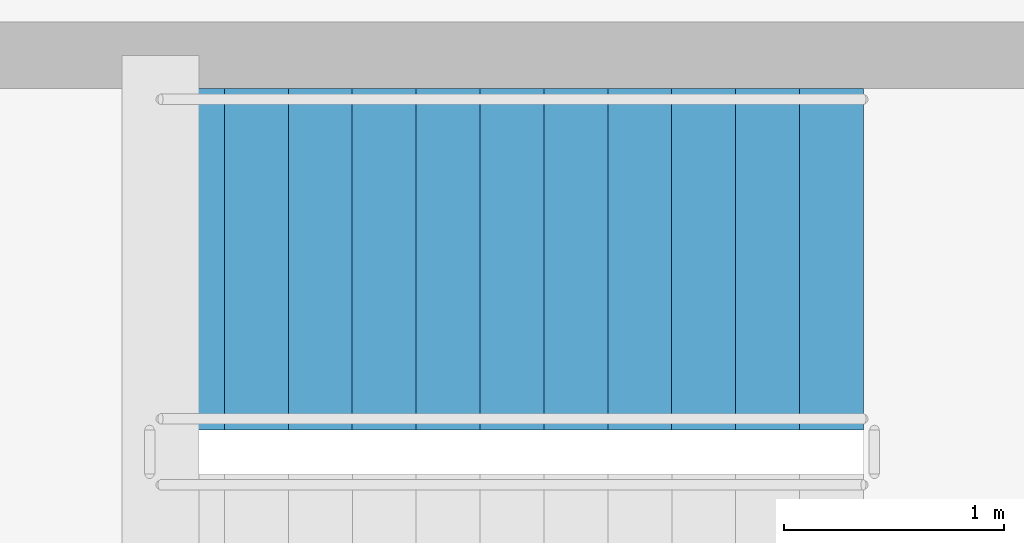
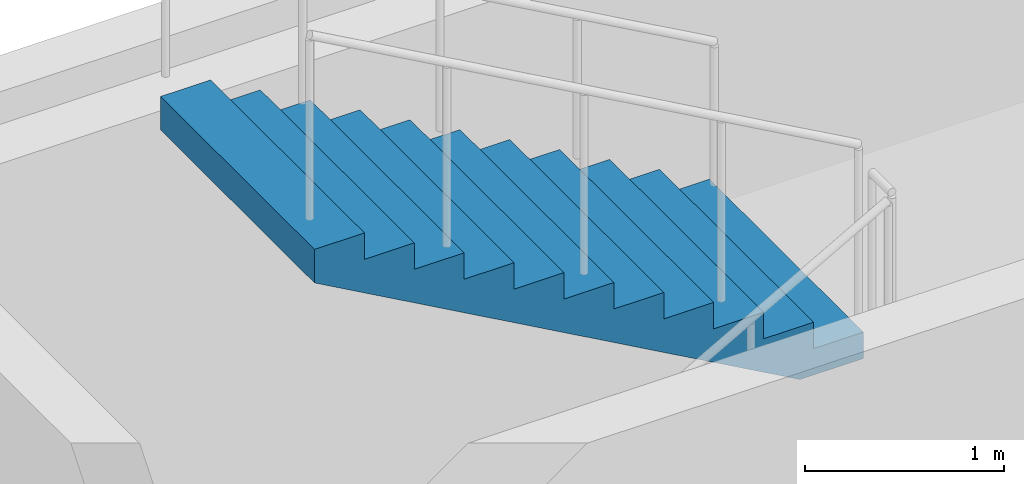
# One storey, part 176 of 188: 1 stair flight, 1 element without a shape of its own.
"""IFC4 building model written with IfcOpenShell, lengths in metres."""

from ifc_helpers import new_model, si_unit, direction, frame, origin, place, context, subcontext, project, spatial, polyline, outline, extrude, material, type_object, element, aggregate, save


model = new_model("IFC4")

# Units and contexts
model_context = context("Model", 3, precision=1e-05, world=origin(), true_north=direction((0.0, 1.0)))
body_context = subcontext(model_context, "Body", "Model", "MODEL_VIEW")
ifc_project = project(units=[si_unit("LENGTHUNIT", "METRE"), si_unit("AREAUNIT", "SQUARE_METRE"), si_unit("VOLUMEUNIT", "CUBIC_METRE"), si_unit("PLANEANGLEUNIT", "RADIAN"), si_unit("MASSUNIT", "GRAM", prefix="KILO")], contexts=[model_context])

# Site, building, storey
site_placement = place(None, origin())
site = spatial("IfcSite", under=ifc_project, at=site_placement, CompositionType="ELEMENT")
building_placement = place(site_placement, origin())
building = spatial("IfcBuilding", under=site, at=building_placement, Name="Kisaragi Civic Commons", CompositionType="ELEMENT")
storey_placement = place(building_placement, frame((0.0, 0.0, 9.60009765625)))
storey = spatial("IfcBuildingStorey", under=building, at=storey_placement, Name="L02", CompositionType="ELEMENT", Elevation=9.60009765625)

# Stair, stair flight
ifc_material = material(Name="Concrete Fc30", Category="concrete")
stair_type = type_object("IfcStairType", Name="ST-A", PredefinedType="HALF_TURN_STAIR", material=ifc_material)
stair_placement = place(storey_placement, origin())
stair = element("IfcStair", 1, at=stair_placement, inside=storey, type_object=stair_type, Name="L02 Stair ST-L2", PredefinedType="HALF_TURN_STAIR")
stair_flight_type = type_object("IfcStairFlightType", Name="STF-A", PredefinedType="STRAIGHT", material=ifc_material)
stair_flight_placement = place(storey_placement, frame((120.93994140625, 116.324951171875, 1.949951171875), z_axis=(0.0, 0.0, 1.0), x_axis=(-1.0, 0.0, 0.0)))
stair_flight = element("IfcStairFlight", 2, at=stair_flight_placement, type_object=stair_flight_type, Name="ST-L2 flight 2", NumberOfRisers=12, NumberOfTreads=11, PredefinedType="STRAIGHT", RiserHeight=0.1625, TreadLength=0.29, context=body_context, shape_type="SweptSolid", body=[
    extrude(outline(polyline([(0.0, 0.0), (0.0, 0.16259765625), (0.2900390625, 0.16259765625), (0.2900390625, 0.324951171875), (0.580078125, 0.324951171875), (0.580078125, 0.487548828125), (0.8701171875, 0.487548828125), (0.8701171875, 0.64990234375), (1.159912109375, 0.64990234375), (1.159912109375, 0.8125), (1.449951171875, 0.8125), (1.449951171875, 0.97509765625), (1.739990234375, 0.97509765625), (1.739990234375, 1.137451171875), (2.030029296875, 1.137451171875), (2.030029296875, 1.300048828125), (2.320068359375, 1.300048828125), (2.320068359375, 1.46240234375), (2.610107421875, 1.46240234375), (2.610107421875, 1.625), (2.89990234375, 1.625), (2.89990234375, 1.78759765625), (3.18994140625, 1.78759765625), (3.18994140625, 1.949951171875), (3.18994140625, 1.581298828125), (0.3681640625, 0.0), (0.0, 0.0)])), frame((0.0, 0.77490234375, 0.0), z_axis=(0.0, -1.0, 0.0), x_axis=(1.0, 0.0, 0.0)), (0.0, 0.0, 1.0), 1.550048828125),
])
aggregate(stair, [stair_flight])

save(model, "model.ifc")
